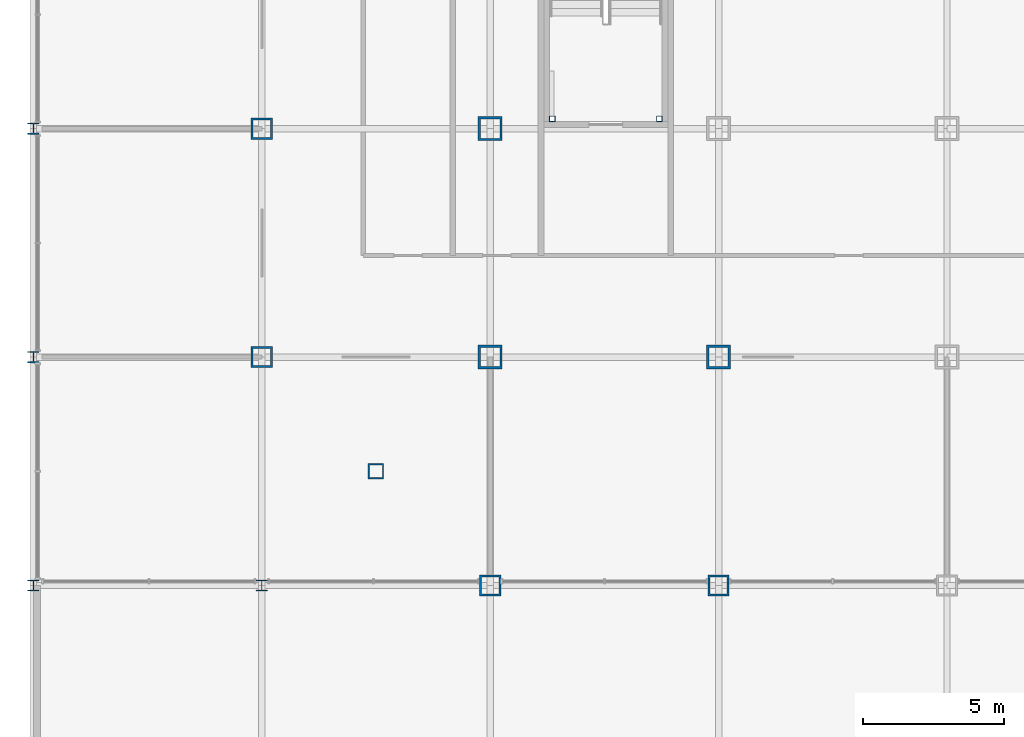
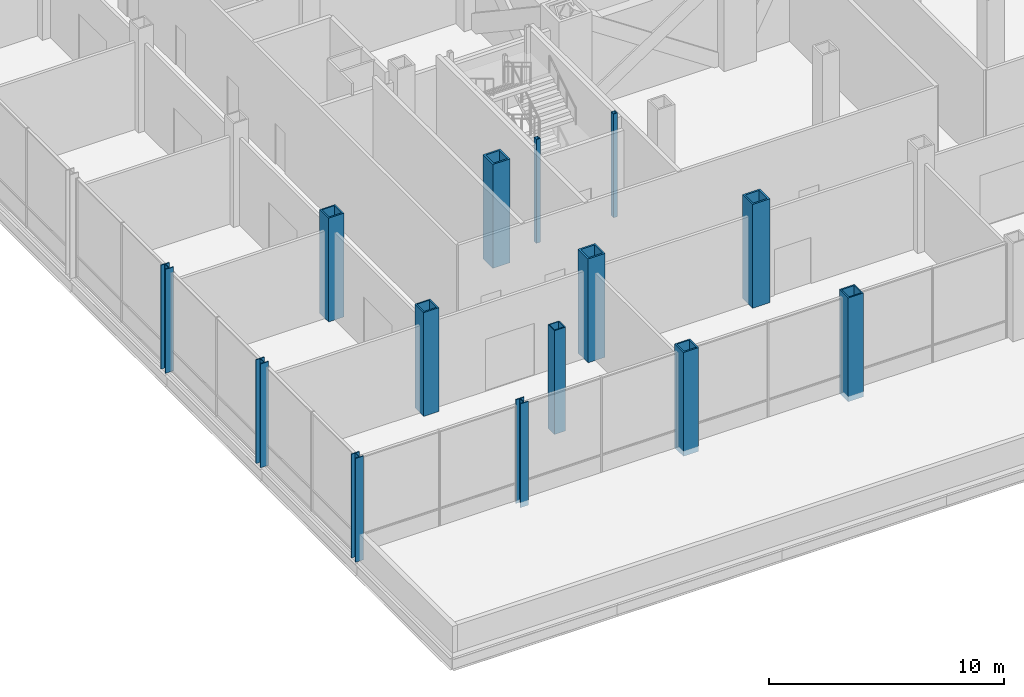
# One storey, part 1 of 29: 14 columns.
"""IFC4 building model written with IfcOpenShell, lengths in metres."""

from ifc_helpers import new_model, si_unit, direction, frame, origin, origin_2d, place, context, subcontext, project, spatial, hollow_rectangle, i_section, extrude, material, material_profile, profile_set, type_object, element, save


model = new_model("IFC4")

# Units and contexts
model_context = context("Model", 3, precision=1e-05, world=origin(), true_north=direction((0.0, 1.0)))
body_context = subcontext(model_context, "Body", "Model", "MODEL_VIEW")
ifc_project = project(units=[si_unit("LENGTHUNIT", "METRE"), si_unit("AREAUNIT", "SQUARE_METRE"), si_unit("VOLUMEUNIT", "CUBIC_METRE"), si_unit("PLANEANGLEUNIT", "RADIAN"), si_unit("MASSUNIT", "GRAM", prefix="KILO")], contexts=[model_context])

# Site, building, storey
site_placement = place(None, origin())
site = spatial("IfcSite", under=ifc_project, at=site_placement, CompositionType="ELEMENT")
building_placement = place(site_placement, origin())
building = spatial("IfcBuilding", under=site, at=building_placement, Name="Kopane Lantern Tower", CompositionType="ELEMENT")
storey_placement = place(building_placement, frame((0.0, 0.0, 11.39990234375)))
storey = spatial("IfcBuildingStorey", under=building, at=storey_placement, Name="L02", CompositionType="ELEMENT", Elevation=11.39990234375)

# Columns
ifc_material_1 = material(Name="Steel S355JR", Category="steel")
ifc_material_profile_1 = material_profile(ifc_material_1, hollow_rectangle(XDim=0.550048828125, YDim=0.550048828125, WallThickness=0.050048828125, at=origin_2d()), Name="BOX 550x550x50")
ifc_profile_set_1 = profile_set([ifc_material_profile_1], Name="Steel S355JR")
column_type_1 = type_object("IfcColumnType", Name="COLUMN BOX 550x550x50", PredefinedType="COLUMN", material=ifc_profile_set_1)
column_placement = place(storey_placement, frame((4.050048828125, 4.050048828125, 0.0), z_axis=(0.0, 0.0, 1.0), x_axis=(1.0, 0.0, 0.0)))
element("IfcColumn", 1, at=column_placement, inside=storey, type_object=column_type_1, Name="Column 4.05/4.05 L02", PredefinedType="COLUMN", context=body_context, shape_type="SweptSolid", body=[
    extrude(hollow_rectangle(XDim=0.550048828125, YDim=0.550048828125, WallThickness=0.050048828125, at=origin_2d()), origin(), (0.0, 0.0, 1.0), 5.400146484375),
])
ifc_material_2 = material(Name="Steel S355JR", Category="steel")
ifc_material_profile_2 = material_profile(ifc_material_2, hollow_rectangle(XDim=0.75, YDim=0.75, WallThickness=0.070068359375, at=origin_2d()), Name="BOX 750x750x70")
ifc_profile_set_2 = profile_set([ifc_material_profile_2], Name="Steel S355JR")
column_type_2 = type_object("IfcColumnType", Name="COLUMN BOX 750x750x70", PredefinedType="COLUMN", material=ifc_profile_set_2)
for number, where, z_axis, x_axis, name in (
    (2, (0.0, 8.10009765625, 0.0), (0.0, 0.0, 1.0), (1.0, 0.0, 0.0), "Column 2/C L02"),
    (3, (0.0, 16.199951171875, 0.0), (0.0, 0.0, 1.0), (1.0, 0.0, 0.0), "Column 2/D L02"),
    (4, (8.10009765625, 0.0, 0.0), (0.0, 0.0, 1.0), (1.0, 0.0, 0.0), "Column 3/B L02"),
    (5, (16.199951171875, 0.0, 0.0), (0.0, 0.0, 1.0), (1.0, 0.0, 0.0), "Column 4/B L02"),
):
    element("IfcColumn", number, at=place(storey_placement, frame(where, z_axis=z_axis, x_axis=x_axis)), inside=storey, type_object=column_type_2, Name=name, PredefinedType="COLUMN", context=body_context, shape_type="SweptSolid", body=[
        extrude(hollow_rectangle(XDim=0.75, YDim=0.75, WallThickness=0.070068359375, at=origin_2d()), origin(), (0.0, 0.0, 1.0), 5.400146484375),
    ])
ifc_material_3 = material(Name="Steel S355JR", Category="steel")
ifc_material_profile_3 = material_profile(ifc_material_3, hollow_rectangle(XDim=0.85009765625, YDim=0.85009765625, WallThickness=0.0849609375, at=origin_2d()), Name="BOX 850x850x85")
ifc_profile_set_3 = profile_set([ifc_material_profile_3], Name="Steel S355JR")
column_type_3 = type_object("IfcColumnType", Name="COLUMN BOX 850x850x85", PredefinedType="COLUMN", material=ifc_profile_set_3)
for number, where, z_axis, x_axis, name in (
    (6, (8.10009765625, 8.10009765625, 0.0), (0.0, 0.0, 1.0), (1.0, 0.0, 0.0), "Column 3/C L02"),
    (7, (8.10009765625, 16.199951171875, 0.0), (0.0, 0.0, 1.0), (1.0, 0.0, 0.0), "Column 3/D L02"),
    (8, (16.199951171875, 8.10009765625, 0.0), (0.0, 0.0, 1.0), (1.0, 0.0, 0.0), "Column 4/C L02"),
):
    element("IfcColumn", number, at=place(storey_placement, frame(where, z_axis=z_axis, x_axis=x_axis)), inside=storey, type_object=column_type_3, Name=name, PredefinedType="COLUMN", context=body_context, shape_type="SweptSolid", body=[
        extrude(hollow_rectangle(XDim=0.85009765625, YDim=0.85009765625, WallThickness=0.0849609375, at=origin_2d()), origin(), (0.0, 0.0, 1.0), 5.400146484375),
    ])
ifc_material_4 = material(Name="Steel S355JR", Category="steel")
ifc_material_profile_4 = material_profile(ifc_material_4, i_section(OverallWidth=0.403076171875, OverallDepth=0.406494140625, WebThickness=0.026611328125, FlangeThickness=0.04296875, FilletRadius=0.01513671875, at=origin_2d()), Name="UC 356x406x340")
ifc_profile_set_4 = profile_set([ifc_material_profile_4], Name="Steel S355JR")
column_type_4 = type_object("IfcColumnType", Name="COLUMN UC 356x406x340", PredefinedType="COLUMN", material=ifc_profile_set_4)
for number, where, z_axis, x_axis, name in (
    (9, (-8.10009765625, 0.0, 0.0), (0.0, 0.0, 1.0), (1.0, 0.0, 0.0), "Column 1/B L02"),
    (10, (-8.10009765625, 8.10009765625, 0.0), (0.0, 0.0, 1.0), (1.0, 0.0, 0.0), "Column 1/C L02"),
    (11, (-8.10009765625, 16.199951171875, 0.0), (0.0, 0.0, 1.0), (1.0, 0.0, 0.0), "Column 1/D L02"),
    (12, (0.0, 0.0, 0.0), (0.0, 0.0, 1.0), (1.0, 0.0, 0.0), "Column 2/B L02"),
):
    element("IfcColumn", number, at=place(storey_placement, frame(where, z_axis=z_axis, x_axis=x_axis)), inside=storey, type_object=column_type_4, Name=name, PredefinedType="COLUMN", context=body_context, shape_type="SweptSolid", body=[
        extrude(i_section(OverallWidth=0.403076171875, OverallDepth=0.406494140625, WebThickness=0.026611328125, FlangeThickness=0.04296875, FilletRadius=0.01513671875, at=origin_2d()), origin(), (0.0, 0.0, 1.0), 5.400146484375),
    ])
ifc_material_5 = material(Name="Steel S355JR", Category="steel")
ifc_material_profile_5 = material_profile(ifc_material_5, hollow_rectangle(XDim=0.199951171875, YDim=0.199951171875, WallThickness=0.011962890625, at=origin_2d()), Name="BOX 200x200x12")
ifc_profile_set_5 = profile_set([ifc_material_profile_5], Name="Steel S355JR")
column_type_5 = type_object("IfcColumnType", Name="STAIR POST BOX 200x200x12", PredefinedType="COLUMN", material=ifc_profile_set_5)
for number, where, z_axis, x_axis, name in (
    (13, (10.300048828125, 16.550048828125, 0.0), (0.0, 0.0, 1.0), (1.0, 0.0, 0.0), "Stair post ST3 SW L02"),
    (14, (14.10009765625, 16.550048828125, 0.0), (0.0, 0.0, 1.0), (1.0, 0.0, 0.0), "Stair post ST3 SE L02"),
):
    element("IfcColumn", number, at=place(storey_placement, frame(where, z_axis=z_axis, x_axis=x_axis)), inside=storey, type_object=column_type_5, Name=name, PredefinedType="COLUMN", context=body_context, shape_type="SweptSolid", body=[
        extrude(hollow_rectangle(XDim=0.199951171875, YDim=0.199951171875, WallThickness=0.011962890625, at=origin_2d()), origin(), (0.0, 0.0, 1.0), 5.400146484375),
    ])

save(model, "model.ifc")
